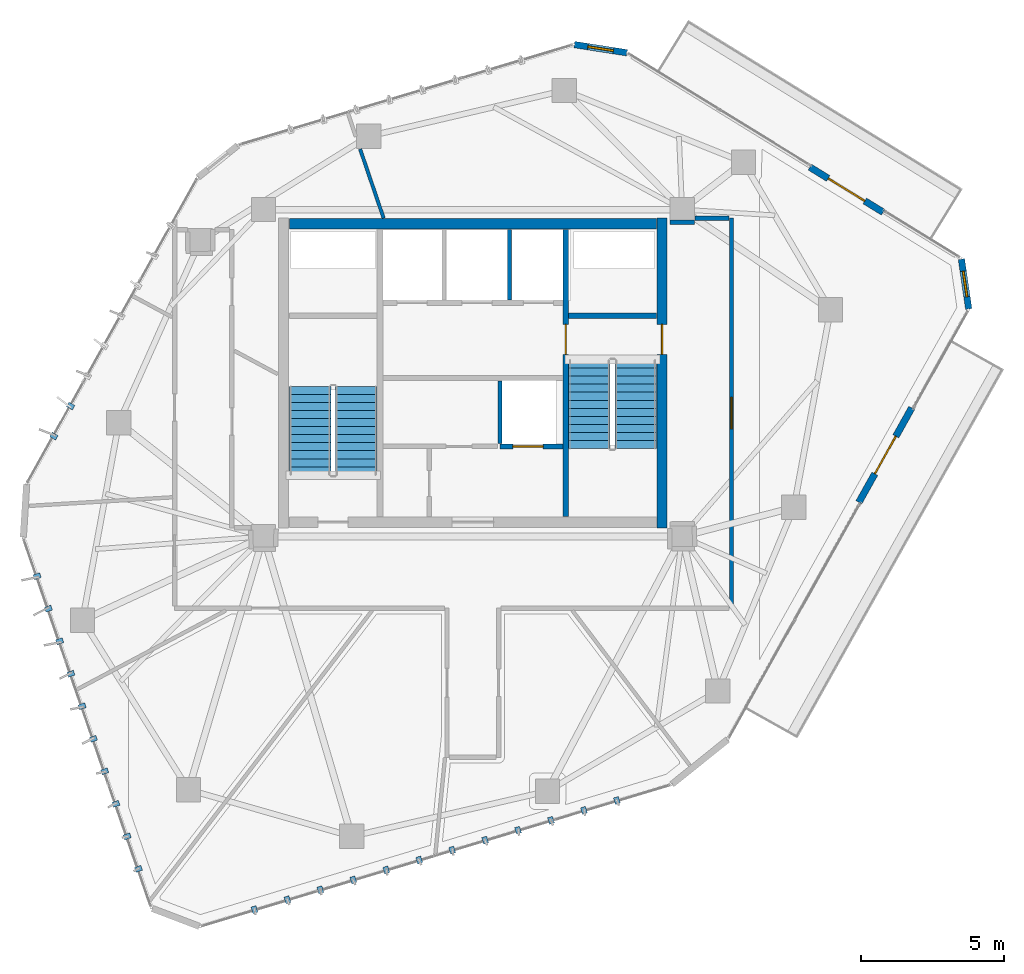
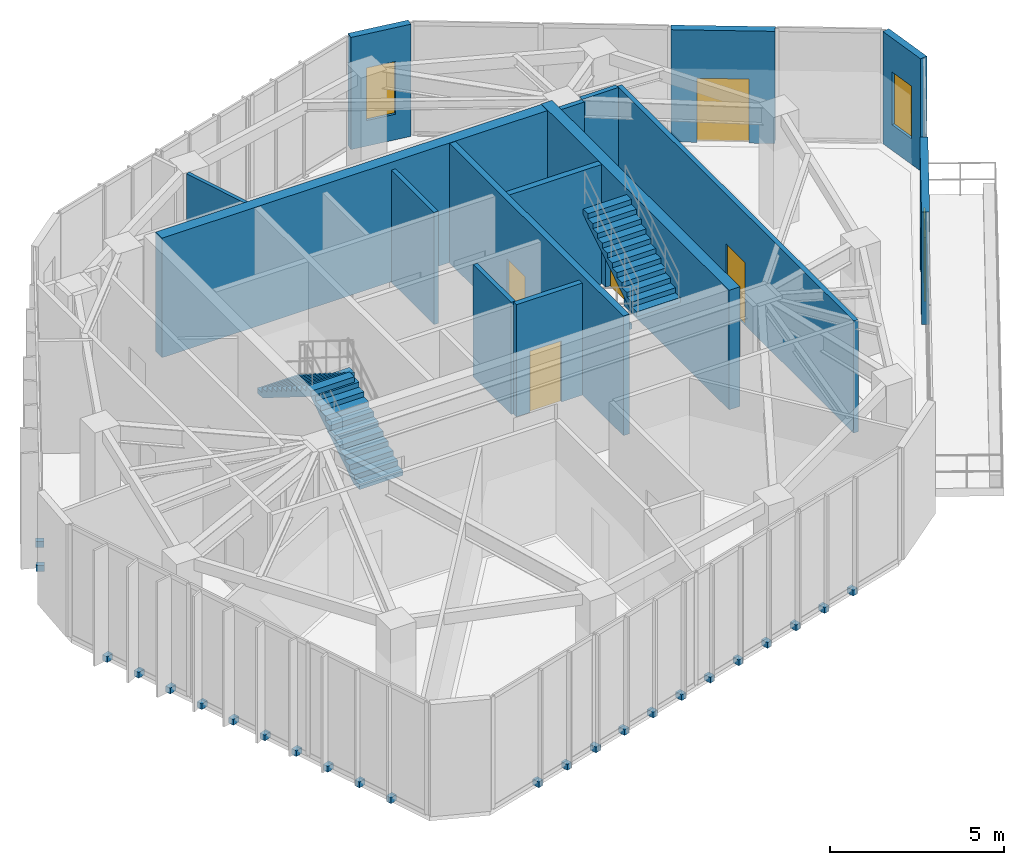
# One storey, part 17 of 20: 24 discrete accessories, 15 walls, 6 doors, 4 stair flights, 2 windows, 8 openings, 2 elements without a shape of their own.
"""IFC4 building model written with IfcOpenShell, lengths in metres."""

from ifc_helpers import new_model, si_unit, direction, frame, frame_2d, origin, origin_2d, place, context, subcontext, project, spatial, polyline, rectangle, outline, extrude, source, transform, mapped, material, layer, layer_set, type_object, type_shapes, element, fill, aggregate, save


model = new_model("IFC4")

# Units and contexts
model_context = context("Model", 3, precision=1e-05, world=origin(), true_north=direction((0.0, 1.0)))
body_context = subcontext(model_context, "Body", "Model", "MODEL_VIEW")
ifc_project = project(units=[si_unit("LENGTHUNIT", "METRE"), si_unit("AREAUNIT", "SQUARE_METRE"), si_unit("VOLUMEUNIT", "CUBIC_METRE"), si_unit("PLANEANGLEUNIT", "RADIAN"), si_unit("MASSUNIT", "GRAM", prefix="KILO")], contexts=[model_context])

# Site, building, storey
site_placement = place(None, origin())
site = spatial("IfcSite", under=ifc_project, at=site_placement, CompositionType="ELEMENT")
building_placement = place(site_placement, origin())
building = spatial("IfcBuilding", under=site, at=building_placement, Name="Talar Marvaseh", CompositionType="ELEMENT")
storey_placement = place(building_placement, frame((0.0, 0.0, 291.800048828125)))
storey = spatial("IfcBuildingStorey", under=building, at=storey_placement, Name="L78", CompositionType="ELEMENT", Elevation=291.800048828125)

# Wall, opening, window
ifc_material_1 = material(Name="Precast concrete C45/55", Category="concrete")
ifc_layer_1 = layer(ifc_material_1, 0.22509765625)
ifc_layer_set_1 = layer_set([ifc_layer_1], Name="Precast concrete C45/55")
wall_type_1 = type_object("IfcWallType", Name="Chamfered Hexagonal Corner Pier Wall Z4 225", PredefinedType="SOLIDWALL", material=ifc_layer_set_1)
wall_1_placement = place(storey_placement, frame((29.541015625, 42.6533203125, 0.0), z_axis=(0.0, 0.0, 1.0), x_axis=(0.988010153219, -0.154388915198, 0.0)))
wall_1 = element("IfcWall", 1, at=wall_1_placement, inside=storey, type_object=wall_type_1, Name="L78 Chamfered Corner Limestone Pier 4", PredefinedType="SOLIDWALL", context=body_context, shape_type="SweptSolid", body=[
    extrude(rectangle(XDim=1.8564453125, YDim=0.22509765625, at=frame_2d((0.92822265625, 0.0))), origin(), (0.0, 0.0, 1.0), 3.93994140625),
])
opening_1_placement = place(wall_1_placement, frame((0.47802734375, 0.0, 0.89990234375)))
opening_1 = element("IfcOpeningElement", 2, at=opening_1_placement, cuts=wall_1, Name="Opening WN-CHM09", PredefinedType="OPENING", context=body_context, shape_type="SweptSolid", body=[
    extrude(rectangle(XDim=0.89990234375, YDim=1.85009765625, at=frame_2d((0.449951171875, 0.925048828125))), frame((0.0, 0.12255859375, 0.0), z_axis=(0.0, -1.0, 0.0), x_axis=(1.0, 0.0, 0.0)), (0.0, 0.0, 1.0), 0.2451171875),
])
ifc_material_2 = material(Name="Laminated Low-E Solar Glass", Category="glass")
window_type = type_object("IfcWindowType", Name="Zone 4 Chamfered Corner Slot Window 900x1850", PartitioningType="SINGLE_PANEL", PredefinedType="WINDOW", material=ifc_material_2)
shared_shape_1 = source(origin(), body_context, "Body", "SweptSolid", [
    extrude(rectangle(XDim=0.89990234375, YDim=1.85009765625, at=frame_2d((0.449951171875, 0.925048828125))), frame((0.0, 0.030029296875, 0.0), z_axis=(0.0, -1.0, 0.0), x_axis=(1.0, 0.0, 0.0)), (0.0, 0.0, 1.0), 0.06005859375),
])
type_shapes(window_type, [shared_shape_1])
window_1_placement = place(opening_1_placement, origin())
window_1 = element("IfcWindow", 3, at=window_1_placement, inside=storey, type_object=window_type, Name="L78 Chamfered Corner Slot Window", OverallHeight=1.85009765625, OverallWidth=0.89990234375, PartitioningType="SINGLE_PANEL", PredefinedType="WINDOW", context=body_context, shape_type="MappedRepresentation", body=[
    mapped(shared_shape_1, transform((0.0, 0.0, 0.0), x_axis=(1.0, 0.0, 0.0), y_axis=(0.0, 1.0, 0.0), z_axis=(0.0, 0.0, 1.0), scale=1.0)),
])
fill(opening_1, window_1)

wall_2_placement = place(storey_placement, frame((43.038818359375, 35.172607421875, 0.0), z_axis=(0.0, 0.0, 1.0), x_axis=(0.144842288983, -0.98945475456, 0.0)))
wall_2 = element("IfcWall", 4, at=wall_2_placement, inside=storey, type_object=wall_type_1, Name="L78 Chamfered Corner Limestone Pier 5", PredefinedType="SOLIDWALL", context=body_context, shape_type="SweptSolid", body=[
    extrude(rectangle(XDim=1.758056640625, YDim=0.22509765625, at=frame_2d((0.87890625, 0.0))), origin(), (0.0, 0.0, 1.0), 3.93994140625),
])
opening_2_placement = place(wall_2_placement, frame((0.428955078125, 0.0, 0.89990234375)))
opening_2 = element("IfcOpeningElement", 5, at=opening_2_placement, cuts=wall_2, Name="Opening WN-CHM09", PredefinedType="OPENING", context=body_context, shape_type="SweptSolid", body=[
    extrude(rectangle(XDim=0.89990234375, YDim=1.85009765625, at=frame_2d((0.449951171875, 0.925048828125))), frame((0.0, 0.12255859375, 0.0), z_axis=(0.0, -1.0, 0.0), x_axis=(1.0, 0.0, 0.0)), (0.0, 0.0, 1.0), 0.2451171875),
])
window_2_placement = place(opening_2_placement, origin())
window_2 = element("IfcWindow", 6, at=window_2_placement, inside=storey, type_object=window_type, Name="L78 Chamfered Corner Slot Window", OverallHeight=1.85009765625, OverallWidth=0.89990234375, PartitioningType="SINGLE_PANEL", PredefinedType="WINDOW", context=body_context, shape_type="MappedRepresentation", body=[
    mapped(shared_shape_1, transform((0.0, 0.0, 0.0), x_axis=(1.0, 0.0, 0.0), y_axis=(0.0, 1.0, 0.0), z_axis=(0.0, 0.0, 1.0), scale=1.0)),
])
fill(opening_2, window_2)

# Wall, opening, door
ifc_material_3 = material(Name="Gypsum Board Partition Assembly")
ifc_layer_2 = layer(ifc_material_3, 0.155029296875)
ifc_layer_set_2 = layer_set([ifc_layer_2], Name="Gypsum Board Partition Assembly")
wall_type_2 = type_object("IfcWallType", Name="Corridor Fire-Rated Acoustic Partition 155", PredefinedType="PARTITIONING", material=ifc_layer_set_2)
wall_3_placement = place(storey_placement, frame((35.02001953125, 36.60009765625, 0.0), z_axis=(0.0, 0.0, 1.0), x_axis=(0.0, -1.0, 0.0)))
wall_3 = element("IfcWall", 7, at=wall_3_placement, inside=storey, type_object=wall_type_2, Name="L78 Interior Partition Wall", PredefinedType="PARTITIONING", context=body_context, shape_type="SweptSolid", body=[
    extrude(rectangle(XDim=13.60009765625, YDim=0.155029296875, at=frame_2d((6.800048828125, 0.0))), origin(), (0.0, 0.0, 1.0), 3.93994140625),
])
opening_3_placement = place(wall_3_placement, frame((6.25, 0.0, 0.0)))
opening_3 = element("IfcOpeningElement", 8, at=opening_3_placement, cuts=wall_3, Name="Opening DR-RM110", PredefinedType="OPENING", context=body_context, shape_type="SweptSolid", body=[
    extrude(rectangle(XDim=1.10009765625, YDim=2.199951171875, at=frame_2d((0.550048828125, 1.10009765625))), frame((0.0, 0.08740234375, 0.0), z_axis=(0.0, -1.0, 0.0), x_axis=(1.0, 0.0, 0.0)), (0.0, 0.0, 1.0), 0.175048828125),
])
ifc_material_4 = material(Name="Acoustic Engineered Oak Timber", Category="wood")
door_type_1 = type_object("IfcDoorType", Name="Assembly and Reading Hall Door 1100x2200", OperationType="NOTDEFINED", PredefinedType="DOOR", material=ifc_material_4)
shared_shape_2 = source(origin(), body_context, "Body", "SweptSolid", [
    extrude(rectangle(XDim=1.10009765625, YDim=2.199951171875, at=frame_2d((0.550048828125, 1.10009765625))), frame((0.0, 0.02490234375, 0.0), z_axis=(0.0, -1.0, 0.0), x_axis=(1.0, 0.0, 0.0)), (0.0, 0.0, 1.0), 0.050048828125),
])
type_shapes(door_type_1, [shared_shape_2])
door_1_placement = place(opening_3_placement, origin())
door_1 = element("IfcDoor", 9, at=door_1_placement, inside=storey, type_object=door_type_1, Name="L78 Gallery Security Control Room Door", OperationType="SINGLE_SWING_LEFT", OverallHeight=2.199951171875, OverallWidth=1.10009765625, PredefinedType="DOOR", context=body_context, shape_type="MappedRepresentation", body=[
    mapped(shared_shape_2, transform((0.0, 0.0, 0.0), x_axis=(1.0, 0.0, 0.0), y_axis=(0.0, 1.0, 0.0), z_axis=(0.0, 0.0, 1.0), scale=1.0)),
])
fill(opening_3, door_1)

# Walls
wall_4_placement = place(storey_placement, frame((32.8701171875, 36.464599609375, 0.0), z_axis=(0.0, 0.0, 1.0), x_axis=(0.999986873463, -0.005123758532, 0.0)))
element("IfcWall", 10, at=wall_4_placement, inside=storey, type_object=wall_type_2, Name="L78 Interior Partition Wall", PredefinedType="PARTITIONING", context=body_context, shape_type="SweptSolid", body=[
    extrude(rectangle(XDim=0.857666015625, YDim=0.155029296875, at=frame_2d((0.4287109375, 0.0))), origin(), (0.0, 0.0, 1.0), 3.93994140625),
])
wall_5_placement = place(storey_placement, frame((33.739990234375, 36.60009765625, 0.0), z_axis=(0.0, 0.0, 1.0), x_axis=(1.0, 0.0, 0.0)))
element("IfcWall", 11, at=wall_5_placement, inside=storey, type_object=wall_type_2, Name="L78 Interior Partition Wall", PredefinedType="PARTITIONING", context=body_context, shape_type="SweptSolid", body=[
    extrude(rectangle(XDim=1.196533203125, YDim=0.155029296875, at=frame_2d((0.59814453125, 0.0))), origin(), (0.0, 0.0, 1.0), 3.93994140625),
])
ifc_layer_3 = layer(ifc_material_3, 0.1201171875)
ifc_layer_set_3 = layer_set([ifc_layer_3], Name="Gypsum Board Partition Assembly")
wall_type_3 = type_object("IfcWallType", Name="Demountable Studio Room Partition 120", PredefinedType="PARTITIONING", material=ifc_layer_set_3)
wall_6_placement = place(storey_placement, frame((22.889892578125, 36.60009765625, 0.0), z_axis=(0.0, 0.0, 1.0), x_axis=(-0.3220626344, 0.94671836336, 0.0)))
element("IfcWall", 12, at=wall_6_placement, inside=storey, type_object=wall_type_3, Name="L78 Interior Partition Wall", PredefinedType="PARTITIONING", context=body_context, shape_type="SweptSolid", body=[
    extrude(rectangle(XDim=2.545654296875, YDim=0.1201171875, at=frame_2d((1.27294921875, 0.0))), origin(), (0.0, 0.0, 1.0), 3.93994140625),
])
ifc_layer_4 = layer(ifc_material_1, 0.14501953125)
ifc_layer_set_4 = layer_set([ifc_layer_4], Name="Precast concrete C45/55")
wall_type_4 = type_object("IfcWallType", Name="Fire-Rated Lift Divider Wall 145", PredefinedType="SOLIDWALL", material=ifc_layer_set_4)
wall_7_placement = place(storey_placement, frame((27.280029296875, 33.743408203125, 0.0), z_axis=(0.0, 0.0, 1.0), x_axis=(0.0, 1.0, 0.0)))
element("IfcWall", 13, at=wall_7_placement, inside=storey, type_object=wall_type_4, Name="L78 FFL-2/SVL-1 Divider", PredefinedType="SOLIDWALL", context=body_context, shape_type="SweptSolid", body=[
    extrude(rectangle(XDim=2.45654296875, YDim=0.14501953125, at=frame_2d((1.228271484375, 0.0))), origin(), (0.0, 0.0, 1.0), 3.93994140625),
])
wall_8_placement = place(storey_placement, frame((26.949951171875, 28.7333984375, 0.0), z_axis=(0.0, 0.0, 1.0), x_axis=(0.0, 1.0, 0.0)))
element("IfcWall", 14, at=wall_8_placement, inside=storey, type_object=wall_type_4, Name="L78 PL-H3 West Shaft Wall", PredefinedType="SOLIDWALL", context=body_context, shape_type="SweptSolid", body=[
    extrude(rectangle(XDim=2.193115234375, YDim=0.14501953125, at=frame_2d((1.0966796875, 0.0))), origin(), (0.0, 0.0, 1.0), 3.93994140625),
])

# Wall, opening, door
ifc_layer_5 = layer(ifc_material_1, 0.175048828125)
ifc_layer_set_5 = layer_set([ifc_layer_5], Name="Precast concrete C45/55")
wall_type_5 = type_object("IfcWallType", Name="Fire-Rated Lift Hoistway Enclosure Wall 175", PredefinedType="SOLIDWALL", material=ifc_layer_set_5)
wall_9_placement = place(storey_placement, frame((26.949951171875, 28.639892578125, 0.0), z_axis=(0.0, 0.0, 1.0), x_axis=(1.0, 0.0, 0.0)))
wall_9 = element("IfcWall", 15, at=wall_9_placement, inside=storey, type_object=wall_type_5, Name="L78 Sky Express Lift Front Wall", PredefinedType="SOLIDWALL", context=body_context, shape_type="SweptSolid", body=[
    extrude(rectangle(XDim=2.18994140625, YDim=0.175048828125, at=frame_2d((1.094970703125, 0.0))), origin(), (0.0, 0.0, 1.0), 3.93994140625),
])
opening_4_placement = place(wall_9_placement, frame((0.449951171875, 0.0, 0.0)))
opening_4 = element("IfcOpeningElement", 16, at=opening_4_placement, cuts=wall_9, Name="Opening LD-PLH3", PredefinedType="OPENING", context=body_context, shape_type="SweptSolid", body=[
    extrude(rectangle(XDim=1.050048828125, YDim=2.14990234375, at=frame_2d((0.52490234375, 1.074951171875))), frame((0.0, 0.09765625, 0.0), z_axis=(0.0, -1.0, 0.0), x_axis=(1.0, 0.0, 0.0)), (0.0, 0.0, 1.0), 0.195068359375),
])
ifc_material_5 = material(Name="Stainless Steel Grade 316", Category="steel")
door_type_2 = type_object("IfcDoorType", Name="Automatic Sliding Lift Landing Door 1050x2150", OperationType="NOTDEFINED", PredefinedType="DOOR", material=ifc_material_5)
shared_shape_3 = source(origin(), body_context, "Body", "SweptSolid", [
    extrude(rectangle(XDim=1.050048828125, YDim=2.14990234375, at=frame_2d((0.52490234375, 1.074951171875))), frame((0.0, 0.02490234375, 0.0), z_axis=(0.0, -1.0, 0.0), x_axis=(1.0, 0.0, 0.0)), (0.0, 0.0, 1.0), 0.050048828125),
])
type_shapes(door_type_2, [shared_shape_3])
door_2_placement = place(opening_4_placement, origin())
door_2 = element("IfcDoor", 17, at=door_2_placement, inside=storey, type_object=door_type_2, Name="L78 Lift PL-H3 Sliding Landing Door", OperationType="SLIDING_TO_LEFT", OverallHeight=2.14990234375, OverallWidth=1.050048828125, PredefinedType="DOOR", context=body_context, shape_type="MappedRepresentation", body=[
    mapped(shared_shape_3, transform((0.0, 0.0, 0.0), x_axis=(1.0, 0.0, 0.0), y_axis=(0.0, 1.0, 0.0), z_axis=(0.0, 0.0, 1.0), scale=1.0)),
])
fill(opening_4, door_2)

ifc_material_6 = material(Name="Concrete C50/60", Category="concrete")
ifc_layer_6 = layer(ifc_material_6, 0.199951171875)
ifc_layer_set_6 = layer_set([ifc_layer_6], Name="Concrete C50/60")
wall_type_6 = type_object("IfcWallType", Name="Stair Shaft Structural Concrete Shear Wall 200", PredefinedType="SHEAR", material=ifc_layer_set_6)
wall_10_placement = place(storey_placement, frame((29.239990234375, 26.199951171875, 0.0), z_axis=(0.0, 0.0, 1.0), x_axis=(0.0, 1.0, 0.0)))
wall_10 = element("IfcWall", 18, at=wall_10_placement, inside=storey, type_object=wall_type_6, Name="L78 Core East Stair Shear Wall", PredefinedType="SHEAR", context=body_context, shape_type="SweptSolid", body=[
    extrude(rectangle(XDim=10.0, YDim=0.199951171875, at=frame_2d((5.0, 0.0))), origin(), (0.0, 0.0, 1.0), 4.199951171875),
])
opening_5_placement = place(wall_10_placement, frame((5.64990234375, 0.0, 0.0)))
opening_5 = element("IfcOpeningElement", 19, at=opening_5_placement, cuts=wall_10, Name="Opening DR-ST105", PredefinedType="OPENING", context=body_context, shape_type="SweptSolid", body=[
    extrude(rectangle(XDim=1.050048828125, YDim=2.14990234375, at=frame_2d((0.52490234375, 1.074951171875))), frame((0.0, 0.10986328125, 0.0), z_axis=(0.0, -1.0, 0.0), x_axis=(1.0, 0.0, 0.0)), (0.0, 0.0, 1.0), 0.219970703125),
])
ifc_material_7 = material(Name="Fire-Rated Steel Door Leaf", Category="steel")
door_type_3 = type_object("IfcDoorType", Name="Protected Exit Stair Fire Door 1050x2150", OperationType="NOTDEFINED", PredefinedType="DOOR", material=ifc_material_7)
shared_shape_4 = source(origin(), body_context, "Body", "SweptSolid", [
    extrude(rectangle(XDim=1.050048828125, YDim=2.14990234375, at=frame_2d((0.52490234375, 1.074951171875))), frame((0.0, 0.02490234375, 0.0), z_axis=(0.0, -1.0, 0.0), x_axis=(1.0, 0.0, 0.0)), (0.0, 0.0, 1.0), 0.050048828125),
])
type_shapes(door_type_3, [shared_shape_4])
door_3_placement = place(opening_5_placement, origin())
door_3 = element("IfcDoor", 20, at=door_3_placement, inside=storey, type_object=door_type_3, Name="L78 Firefighting Lobby to Stair ST-2 Door", OperationType="SINGLE_SWING_LEFT", OverallHeight=2.14990234375, OverallWidth=1.050048828125, PredefinedType="DOOR", context=body_context, shape_type="MappedRepresentation", body=[
    mapped(shared_shape_4, transform((0.0, 0.0, 0.0), x_axis=(1.0, 0.0, 0.0), y_axis=(0.0, 1.0, 0.0), z_axis=(0.0, 0.0, 1.0), scale=1.0)),
])
fill(opening_5, door_3)

# Wall
wall_11_placement = place(storey_placement, frame((29.340087890625, 33.199951171875, 0.0), z_axis=(0.0, 0.0, 1.0), x_axis=(1.0, 0.0, 0.0)))
element("IfcWall", 21, at=wall_11_placement, inside=storey, type_object=wall_type_6, Name="L78 Stair ST-2 North Shear Wall", PredefinedType="SHEAR", context=body_context, shape_type="SweptSolid", body=[
    extrude(rectangle(XDim=3.059814453125, YDim=0.199951171875, at=frame_2d((1.52978515625, 0.0))), origin(), (0.0, 0.0, 1.0), 4.199951171875),
])

# Wall, opening, door
ifc_layer_7 = layer(ifc_material_1, 0.235107421875)
ifc_layer_set_7 = layer_set([ifc_layer_7], Name="Precast concrete C45/55")
wall_type_7 = type_object("IfcWallType", Name="Terrace Threshold Glazed Spandrel Wall 235", PredefinedType="SOLIDWALL", material=ifc_layer_set_7)
wall_12_placement = place(storey_placement, frame((37.75341796875, 38.37841796875, 0.0), z_axis=(0.0, 0.0, 1.0), x_axis=(0.85176728672, -0.523920308133, 0.0)))
wall_12 = element("IfcWall", 22, at=wall_12_placement, inside=storey, type_object=wall_type_7, Name="L78 Terrace Threshold Wall", PredefinedType="SOLIDWALL", context=body_context, shape_type="SweptSolid", body=[
    extrude(rectangle(XDim=2.99951171875, YDim=0.235107421875, at=frame_2d((1.499755859375, 0.0))), origin(), (0.0, 0.0, 1.0), 3.93994140625),
])
opening_6_placement = place(wall_12_placement, frame((0.75, 0.0, 0.0)))
opening_6 = element("IfcOpeningElement", 23, at=opening_6_placement, cuts=wall_12, Name="Opening DR-OBS15", PredefinedType="OPENING", context=body_context, shape_type="SweptSolid", body=[
    extrude(rectangle(XDim=1.5, YDim=2.25, at=frame_2d((0.75, 1.125))), frame((0.0, 0.12744140625, 0.0), z_axis=(0.0, -1.0, 0.0), x_axis=(1.0, 0.0, 0.0)), (0.0, 0.0, 1.0), 0.255126953125),
])
ifc_material_8 = material(Name="Architectural Aluminium", Category="aluminium")
door_type_4 = type_object("IfcDoorType", Name="Observation Lookout Double Glazed Door 1500x2250", OperationType="NOTDEFINED", PredefinedType="DOOR", material=ifc_material_8)
shared_shape_5 = source(origin(), body_context, "Body", "SweptSolid", [
    extrude(rectangle(XDim=1.5, YDim=2.25, at=frame_2d((0.75, 1.125))), frame((0.0, 0.02490234375, 0.0), z_axis=(0.0, -1.0, 0.0), x_axis=(1.0, 0.0, 0.0)), (0.0, 0.0, 1.0), 0.050048828125),
])
type_shapes(door_type_4, [shared_shape_5])
door_4_placement = place(opening_6_placement, origin())
door_4 = element("IfcDoor", 24, at=door_4_placement, inside=storey, type_object=door_type_4, Name="L78 External Planted Terrace Access Door", OperationType="DOUBLE_DOOR_SINGLE_SWING", OverallHeight=2.25, OverallWidth=1.5, PredefinedType="DOOR", context=body_context, shape_type="MappedRepresentation", body=[
    mapped(shared_shape_5, transform((0.0, 0.0, 0.0), x_axis=(1.0, 0.0, 0.0), y_axis=(0.0, 1.0, 0.0), z_axis=(0.0, 0.0, 1.0), scale=1.0)),
])
fill(opening_6, door_4)

wall_13_placement = place(storey_placement, frame((41.306640625, 29.984130859375, 0.0), z_axis=(0.0, 0.0, 1.0), x_axis=(-0.488739356695, -0.87242984888, 0.0)))
wall_13 = element("IfcWall", 25, at=wall_13_placement, inside=storey, type_object=wall_type_7, Name="L78 Terrace Threshold Wall", PredefinedType="SOLIDWALL", context=body_context, shape_type="SweptSolid", body=[
    extrude(rectangle(XDim=3.77197265625, YDim=0.235107421875, at=frame_2d((1.885986328125, 0.0))), origin(), (0.0, 0.0, 1.0), 3.93994140625),
])
opening_7_placement = place(wall_13_placement, frame((1.135986328125, 0.0, 0.0)))
opening_7 = element("IfcOpeningElement", 26, at=opening_7_placement, cuts=wall_13, Name="Opening DR-OBS15", PredefinedType="OPENING", context=body_context, shape_type="SweptSolid", body=[
    extrude(rectangle(XDim=1.5, YDim=2.25, at=frame_2d((0.75, 1.125))), frame((0.0, 0.12744140625, 0.0), z_axis=(0.0, -1.0, 0.0), x_axis=(1.0, 0.0, 0.0)), (0.0, 0.0, 1.0), 0.255126953125),
])
door_5_placement = place(opening_7_placement, origin())
door_5 = element("IfcDoor", 27, at=door_5_placement, inside=storey, type_object=door_type_4, Name="L78 External Planted Terrace Access Door", OperationType="DOUBLE_DOOR_SINGLE_SWING", OverallHeight=2.25, OverallWidth=1.5, PredefinedType="DOOR", context=body_context, shape_type="MappedRepresentation", body=[
    mapped(shared_shape_5, transform((0.0, 0.0, 0.0), x_axis=(1.0, 0.0, 0.0), y_axis=(0.0, 1.0, 0.0), z_axis=(0.0, 0.0, 1.0), scale=1.0)),
])
fill(opening_7, door_5)

ifc_layer_8 = layer(ifc_material_6, 0.360107421875)
ifc_layer_set_8 = layer_set([ifc_layer_8], Name="Concrete C50/60")
wall_type_8 = type_object("IfcWallType", Name="Upper Core Reinforced Concrete Shear Wall 360", PredefinedType="SHEAR", material=ifc_layer_set_8)
wall_14_placement = place(storey_placement, frame((32.60009765625, 36.60009765625, 0.0), z_axis=(0.0, 0.0, 1.0), x_axis=(0.0, -1.0, 0.0)))
wall_14 = element("IfcWall", 28, at=wall_14_placement, inside=storey, type_object=wall_type_8, Name="L78 East Core Shear Wall", PredefinedType="SHEAR", context=body_context, shape_type="SweptSolid", body=[
    extrude(rectangle(XDim=10.800048828125, YDim=0.360107421875, at=frame_2d((5.39990234375, 0.0))), origin(), (0.0, 0.0, 1.0), 4.199951171875),
])
opening_8_placement = place(wall_14_placement, frame((3.699951171875, 0.0, 0.0)))
opening_8 = element("IfcOpeningElement", 29, at=opening_8_placement, cuts=wall_14, Name="Opening DR-ST105", PredefinedType="OPENING", context=body_context, shape_type="SweptSolid", body=[
    extrude(rectangle(XDim=1.050048828125, YDim=2.14990234375, at=frame_2d((0.52490234375, 1.074951171875))), frame((0.0, 0.18994140625, 0.0), z_axis=(0.0, -1.0, 0.0), x_axis=(1.0, 0.0, 0.0)), (0.0, 0.0, 1.0), 0.380126953125),
])
door_6_placement = place(opening_8_placement, origin())
door_6 = element("IfcDoor", 30, at=door_6_placement, inside=storey, type_object=door_type_3, Name="L78 Stair ST-2 Corridor Exit Door", OperationType="SINGLE_SWING_LEFT", OverallHeight=2.14990234375, OverallWidth=1.050048828125, PredefinedType="DOOR", context=body_context, shape_type="MappedRepresentation", body=[
    mapped(shared_shape_4, transform((0.0, 0.0, 0.0), x_axis=(1.0, 0.0, 0.0), y_axis=(0.0, 1.0, 0.0), z_axis=(0.0, 0.0, 1.0), scale=1.0)),
])
fill(opening_8, door_6)

# Wall
wall_15_placement = place(storey_placement, frame((19.60009765625, 36.39990234375, 0.0), z_axis=(0.0, 0.0, 1.0), x_axis=(1.0, 0.0, 0.0)))
element("IfcWall", 31, at=wall_15_placement, inside=storey, type_object=wall_type_8, Name="L78 North Core Shear Wall", PredefinedType="SHEAR", context=body_context, shape_type="SweptSolid", body=[
    extrude(rectangle(XDim=12.7998046875, YDim=0.360107421875, at=frame_2d((6.39990234375, 0.0))), origin(), (0.0, 0.0, 1.0), 4.199951171875),
])

# Stair, stair flights
ifc_material_9 = material(Name="Concrete C40/50", Category="concrete")
stair_type = type_object("IfcStairType", Name="Reinforced Concrete High-Rise Exit Stair Type C", PredefinedType="HALF_TURN_STAIR", material=ifc_material_9)
stair_1_placement = place(storey_placement, origin())
stair_1 = element("IfcStair", 32, at=stair_1_placement, inside=storey, type_object=stair_type, Name="L78 Tower West Core Exit Stair", PredefinedType="HALF_TURN_STAIR")
ifc_layer_9 = layer(ifc_material_9, 0.159912109375)
ifc_layer_set_9 = layer_set([ifc_layer_9], Name="Concrete C40/50")
stair_flight_type = type_object("IfcStairFlightType", Name="Reinforced Concrete Straight Stair Flight 160", PredefinedType="STRAIGHT", material=ifc_layer_set_9)
stair_flight_1_placement = place(storey_placement, frame((21.93505859375, 27.64990234375, 0.0), z_axis=(0.0, 0.0, 1.0), x_axis=(0.0, 1.0, 0.0)))
stair_flight_1 = element("IfcStairFlight", 33, at=stair_flight_1_placement, type_object=stair_flight_type, Name="ST-1 flight 1", NumberOfRisers=12, NumberOfTreads=11, PredefinedType="STRAIGHT", RiserHeight=0.175, TreadLength=0.28, context=body_context, shape_type="SweptSolid", body=[
    extrude(outline(polyline([(0.0, 0.0), (0.0, 0.175048828125), (0.280029296875, 0.175048828125), (0.280029296875, 0.35009765625), (0.56005859375, 0.35009765625), (0.56005859375, 0.52490234375), (0.840087890625, 0.52490234375), (0.840087890625, 0.699951171875), (1.1201171875, 0.699951171875), (1.1201171875, 0.875), (1.39990234375, 0.875), (1.39990234375, 1.050048828125), (1.679931640625, 1.050048828125), (1.679931640625, 1.22509765625), (1.9599609375, 1.22509765625), (1.9599609375, 1.39990234375), (2.239990234375, 1.39990234375), (2.239990234375, 1.574951171875), (2.52001953125, 1.574951171875), (2.52001953125, 1.75), (2.800048828125, 1.75), (2.800048828125, 1.925048828125), (3.080078125, 1.925048828125), (3.080078125, 2.10009765625), (3.080078125, 1.736328125), (0.3017578125, 0.0), (0.0, 0.0)])), frame((0.0, 0.72509765625, 0.0), z_axis=(0.0, -1.0, 0.0), x_axis=(1.0, 0.0, 0.0)), (0.0, 0.0, 1.0), 1.449951171875),
])
stair_flight_2_placement = place(storey_placement, frame((20.324951171875, 30.72998046875, 2.099853515625), z_axis=(0.0, 0.0, 1.0), x_axis=(0.0, -1.0, 0.0)))
stair_flight_2 = element("IfcStairFlight", 34, at=stair_flight_2_placement, type_object=stair_flight_type, Name="ST-1 flight 2", NumberOfRisers=12, NumberOfTreads=11, PredefinedType="STRAIGHT", RiserHeight=0.175, TreadLength=0.28, context=body_context, shape_type="SweptSolid", body=[
    extrude(outline(polyline([(0.0, 0.0), (0.0, 0.175048828125), (0.280029296875, 0.175048828125), (0.280029296875, 0.35009765625), (0.56005859375, 0.35009765625), (0.56005859375, 0.52490234375), (0.840087890625, 0.52490234375), (0.840087890625, 0.699951171875), (1.1201171875, 0.699951171875), (1.1201171875, 0.875), (1.39990234375, 0.875), (1.39990234375, 1.050048828125), (1.679931640625, 1.050048828125), (1.679931640625, 1.22509765625), (1.9599609375, 1.22509765625), (1.9599609375, 1.39990234375), (2.239990234375, 1.39990234375), (2.239990234375, 1.574951171875), (2.52001953125, 1.574951171875), (2.52001953125, 1.75), (2.800048828125, 1.75), (2.800048828125, 1.925048828125), (3.080078125, 1.925048828125), (3.080078125, 2.10009765625), (3.080078125, 1.736328125), (0.3017578125, 0.0), (0.0, 0.0)])), frame((0.0, 0.72509765625, 0.0), z_axis=(0.0, -1.0, 0.0), x_axis=(1.0, 0.0, 0.0)), (0.0, 0.0, 1.0), 1.449951171875),
])
aggregate(stair_1, [stair_flight_1, stair_flight_2])

stair_2_placement = place(storey_placement, origin())
stair_2 = element("IfcStair", 35, at=stair_2_placement, inside=storey, type_object=stair_type, Name="L78 Tower East Core Exit Stair", PredefinedType="HALF_TURN_STAIR")
stair_flight_3_placement = place(storey_placement, frame((30.06494140625, 31.64990234375, 0.0), z_axis=(0.0, 0.0, 1.0), x_axis=(0.0, -1.0, 0.0)))
stair_flight_3 = element("IfcStairFlight", 36, at=stair_flight_3_placement, type_object=stair_flight_type, Name="ST-2 flight 1", NumberOfRisers=12, NumberOfTreads=11, PredefinedType="STRAIGHT", RiserHeight=0.175, TreadLength=0.28, context=body_context, shape_type="SweptSolid", body=[
    extrude(outline(polyline([(0.0, 0.0), (0.0, 0.175048828125), (0.280029296875, 0.175048828125), (0.280029296875, 0.35009765625), (0.56005859375, 0.35009765625), (0.56005859375, 0.52490234375), (0.840087890625, 0.52490234375), (0.840087890625, 0.699951171875), (1.1201171875, 0.699951171875), (1.1201171875, 0.875), (1.39990234375, 0.875), (1.39990234375, 1.050048828125), (1.679931640625, 1.050048828125), (1.679931640625, 1.22509765625), (1.9599609375, 1.22509765625), (1.9599609375, 1.39990234375), (2.239990234375, 1.39990234375), (2.239990234375, 1.574951171875), (2.52001953125, 1.574951171875), (2.52001953125, 1.75), (2.800048828125, 1.75), (2.800048828125, 1.925048828125), (3.080078125, 1.925048828125), (3.080078125, 2.10009765625), (3.080078125, 1.736328125), (0.3017578125, 0.0), (0.0, 0.0)])), frame((0.0, 0.72509765625, 0.0), z_axis=(0.0, -1.0, 0.0), x_axis=(1.0, 0.0, 0.0)), (0.0, 0.0, 1.0), 1.449951171875),
])
stair_flight_4_placement = place(storey_placement, frame((31.675048828125, 28.570068359375, 2.099853515625), z_axis=(0.0, 0.0, 1.0), x_axis=(0.0, 1.0, 0.0)))
stair_flight_4 = element("IfcStairFlight", 37, at=stair_flight_4_placement, type_object=stair_flight_type, Name="ST-2 flight 2", NumberOfRisers=12, NumberOfTreads=11, PredefinedType="STRAIGHT", RiserHeight=0.175, TreadLength=0.28, context=body_context, shape_type="SweptSolid", body=[
    extrude(outline(polyline([(0.0, 0.0), (0.0, 0.175048828125), (0.280029296875, 0.175048828125), (0.280029296875, 0.35009765625), (0.56005859375, 0.35009765625), (0.56005859375, 0.52490234375), (0.840087890625, 0.52490234375), (0.840087890625, 0.699951171875), (1.1201171875, 0.699951171875), (1.1201171875, 0.875), (1.39990234375, 0.875), (1.39990234375, 1.050048828125), (1.679931640625, 1.050048828125), (1.679931640625, 1.22509765625), (1.9599609375, 1.22509765625), (1.9599609375, 1.39990234375), (2.239990234375, 1.39990234375), (2.239990234375, 1.574951171875), (2.52001953125, 1.574951171875), (2.52001953125, 1.75), (2.800048828125, 1.75), (2.800048828125, 1.925048828125), (3.080078125, 1.925048828125), (3.080078125, 2.10009765625), (3.080078125, 1.736328125), (0.3017578125, 0.0), (0.0, 0.0)])), frame((0.0, 0.72509765625, 0.0), z_axis=(0.0, -1.0, 0.0), x_axis=(1.0, 0.0, 0.0)), (0.0, 0.0, 1.0), 1.449951171875),
])
aggregate(stair_2, [stair_flight_3, stair_flight_4])

# Discrete accessories
discrete_accessory_type = type_object("IfcDiscreteAccessoryType", Name="Stainless Slab-Edge Fin Mounting Bracket", PredefinedType="BRACKET", material=ifc_material_5)
shared_shape_6 = source(origin(), body_context, "Body", "SweptSolid", [
    extrude(rectangle(XDim=0.239990234375, YDim=0.179931640625, at=origin_2d()), origin(), (0.0, 0.0, 1.0), 0.199951171875),
])
type_shapes(discrete_accessory_type, [shared_shape_6])
for number, where, z_axis, x_axis, name in (
    (38, (14.34130859375, 13.907958984375, -0.18017578125), (0.0, 0.0, 1.0), (-0.944948912158, -0.327217898979, 0.0), "L78 Vertical Fin Slab-Edge Bracket"),
    (39, (13.948486328125, 15.0419921875, -0.18017578125), (0.0, 0.0, 1.0), (-0.944948912158, -0.327217898979, 0.0), "L78 Vertical Fin Slab-Edge Bracket"),
    (40, (13.55615234375, 16.17578125, -0.18017578125), (0.0, 0.0, 1.0), (-0.944948912158, -0.327217898979, 0.0), "L78 Vertical Fin Slab-Edge Bracket"),
    (41, (13.16357421875, 17.309814453125, -0.18017578125), (0.0, 0.0, 1.0), (-0.944948912158, -0.327217898979, 0.0), "L78 Vertical Fin Slab-Edge Bracket"),
    (42, (12.77099609375, 18.44384765625, -0.18017578125), (0.0, 0.0, 1.0), (-0.944948912158, -0.327217898979, 0.0), "L78 Vertical Fin Slab-Edge Bracket"),
    (43, (12.37841796875, 19.577880859375, -0.18017578125), (0.0, 0.0, 1.0), (-0.944948912158, -0.327217898979, 0.0), "L78 Vertical Fin Slab-Edge Bracket"),
    (44, (11.985595703125, 20.7119140625, -0.18017578125), (0.0, 0.0, 1.0), (-0.944948912158, -0.327217898979, 0.0), "L78 Vertical Fin Slab-Edge Bracket"),
    (45, (11.593017578125, 21.845703125, -0.18017578125), (0.0, 0.0, 1.0), (-0.944948912158, -0.327217898979, 0.0), "L78 Vertical Fin Slab-Edge Bracket"),
    (46, (11.20068359375, 22.979736328125, -0.18017578125), (0.0, 0.0, 1.0), (-0.944948912158, -0.327217898979, 0.0), "L78 Vertical Fin Slab-Edge Bracket"),
    (47, (10.80810546875, 24.11376953125, -0.18017578125), (0.0, 0.0, 1.0), (-0.944948912158, -0.327217898979, 0.0), "L78 Vertical Fin Slab-Edge Bracket"),
    (48, (11.392333984375, 28.999755859375, -0.18017578125), (0.0, 0.0, 1.0), (-0.873092319232, 0.487554922136, 0.0), "L78 Vertical Fin Slab-Edge Bracket"),
    (49, (11.9775390625, 30.047607421875, -0.18017578125), (0.0, 0.0, 1.0), (-0.873092319232, 0.487554922136, 0.0), "L78 Vertical Fin Slab-Edge Bracket"),
    (50, (31.025390625, 16.293212890625, -0.18017578125), (0.0, 0.0, 1.0), (0.288363391474, -0.957521046483, 0.0), "L78 Vertical Fin Slab-Edge Bracket"),
    (51, (29.87646484375, 15.947265625, -0.18017578125), (0.0, 0.0, 1.0), (0.288363391474, -0.957521046483, 0.0), "L78 Vertical Fin Slab-Edge Bracket"),
    (52, (28.727294921875, 15.601318359375, -0.18017578125), (0.0, 0.0, 1.0), (0.288363391474, -0.957521046483, 0.0), "L78 Vertical Fin Slab-Edge Bracket"),
    (53, (27.578369140625, 15.25537109375, -0.18017578125), (0.0, 0.0, 1.0), (0.288363391474, -0.957521046483, 0.0), "L78 Vertical Fin Slab-Edge Bracket"),
    (54, (26.429443359375, 14.9091796875, -0.18017578125), (0.0, 0.0, 1.0), (0.288363391474, -0.957521046483, 0.0), "L78 Vertical Fin Slab-Edge Bracket"),
    (55, (25.2802734375, 14.563232421875, -0.18017578125), (0.0, 0.0, 1.0), (0.288363391474, -0.957521046483, 0.0), "L78 Vertical Fin Slab-Edge Bracket"),
    (56, (24.13134765625, 14.21728515625, -0.18017578125), (0.0, 0.0, 1.0), (0.288363391474, -0.957521046483, 0.0), "L78 Vertical Fin Slab-Edge Bracket"),
    (57, (22.982421875, 13.87109375, -0.18017578125), (0.0, 0.0, 1.0), (0.288363391474, -0.957521046483, 0.0), "L78 Vertical Fin Slab-Edge Bracket"),
    (58, (21.833251953125, 13.525146484375, -0.18017578125), (0.0, 0.0, 1.0), (0.288363391474, -0.957521046483, 0.0), "L78 Vertical Fin Slab-Edge Bracket"),
    (59, (20.68408203125, 13.17919921875, -0.18017578125), (0.0, 0.0, 1.0), (0.288363391474, -0.957521046483, 0.0), "L78 Vertical Fin Slab-Edge Bracket"),
    (60, (19.53515625, 12.833251953125, -0.18017578125), (0.0, 0.0, 1.0), (0.288363391474, -0.957521046483, 0.0), "L78 Vertical Fin Slab-Edge Bracket"),
    (61, (18.38623046875, 12.4873046875, -0.18017578125), (0.0, 0.0, 1.0), (0.288363391474, -0.957521046483, 0.0), "L78 Vertical Fin Slab-Edge Bracket"),
):
    element("IfcDiscreteAccessory", number, at=place(storey_placement, frame(where, z_axis=z_axis, x_axis=x_axis)), inside=storey, type_object=discrete_accessory_type, Name=name, PredefinedType="BRACKET", context=body_context, shape_type="MappedRepresentation", body=[
        mapped(shared_shape_6, transform((0.0, 0.0, 0.0), x_axis=(1.0, 0.0, 0.0), y_axis=(0.0, 1.0, 0.0), z_axis=(0.0, 0.0, 1.0), scale=1.0)),
    ])

save(model, "model.ifc")
